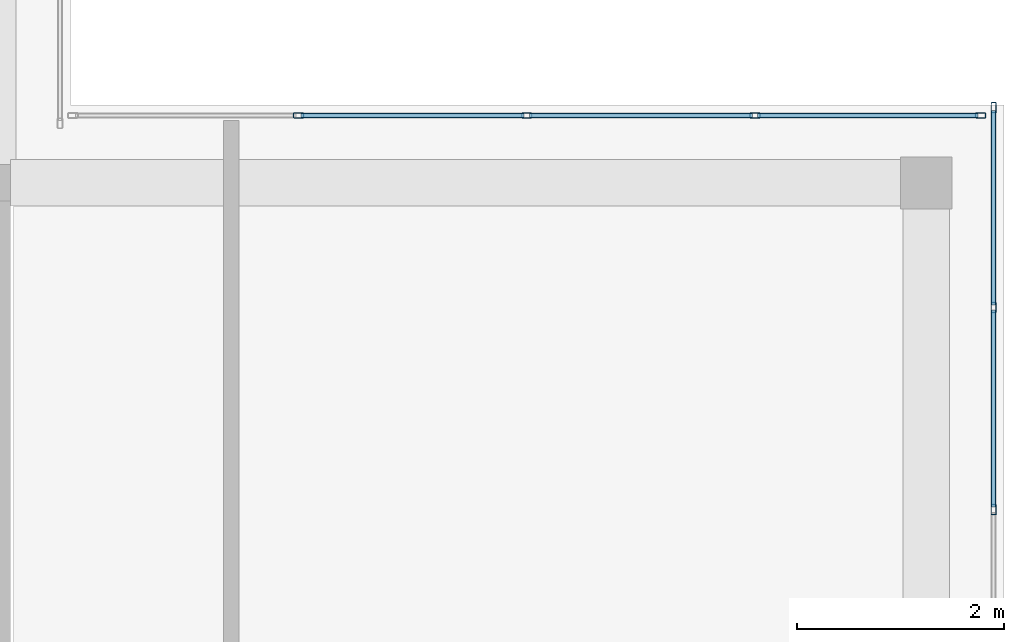
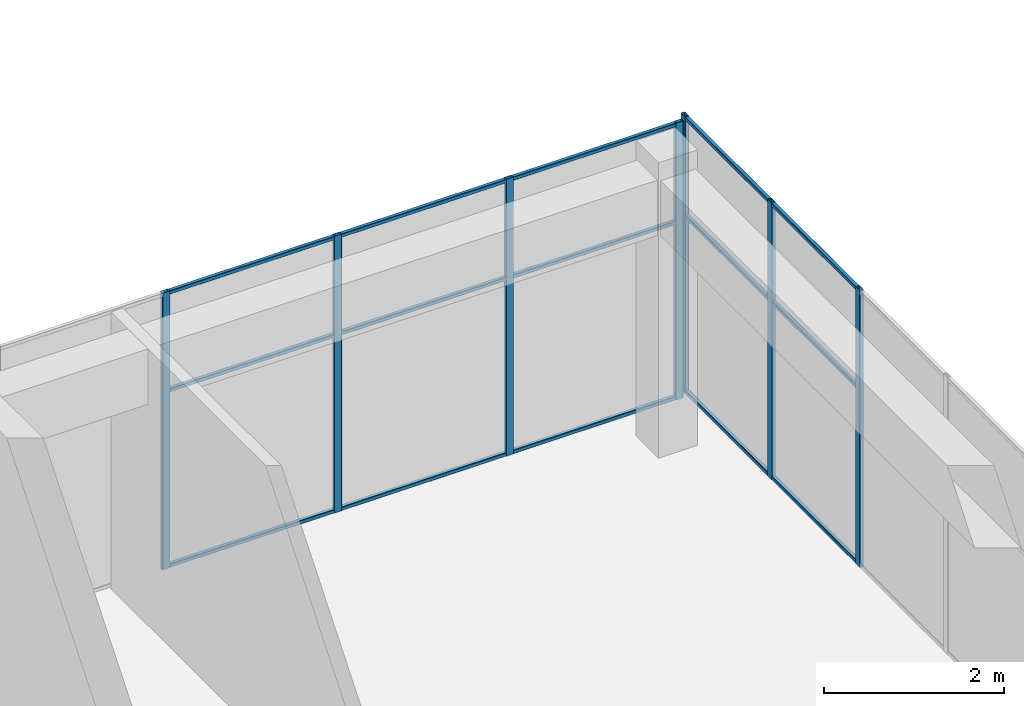
# One storey, part 18 of 34: 22 members, 2 elements without a shape of their own.
"""IFC4 building model written with IfcOpenShell, lengths in metres."""

from ifc_helpers import new_model, si_unit, direction, frame, origin, origin_2d, place, context, subcontext, project, spatial, hollow_rectangle, extrude, material, layer, layer_set, material_profile, profile_set, type_object, element, aggregate, save


model = new_model("IFC4")

# Units and contexts
model_context = context("Model", 3, precision=1e-05, world=origin(), true_north=direction((0.0, 1.0)))
body_context = subcontext(model_context, "Body", "Model", "MODEL_VIEW")
ifc_project = project(units=[si_unit("LENGTHUNIT", "METRE"), si_unit("AREAUNIT", "SQUARE_METRE"), si_unit("VOLUMEUNIT", "CUBIC_METRE"), si_unit("PLANEANGLEUNIT", "RADIAN"), si_unit("MASSUNIT", "GRAM", prefix="KILO")], contexts=[model_context])

# Site, building, storey
site_placement = place(None, origin())
site = spatial("IfcSite", under=ifc_project, at=site_placement, CompositionType="ELEMENT")
building_placement = place(site_placement, origin())
building = spatial("IfcBuilding", under=site, at=building_placement, Name="Tuart Plaza Theatre", CompositionType="ELEMENT")
storey_placement = place(building_placement, frame((0.0, 0.0, 53.5)))
storey = spatial("IfcBuildingStorey", under=building, at=storey_placement, Name="L13", CompositionType="ELEMENT", Elevation=53.5)

# Curtain wall, members
ifc_material_1 = material(Name="Aluminium and glass", Category="aluminium")
ifc_layer = layer(ifc_material_1, 0.10009765625)
ifc_layer_set = layer_set([ifc_layer], Name="CURTAIN WALL 2000 module")
curtain_wall_type = type_object("IfcCurtainWallType", Name="CURTAIN WALL 2000 module", PredefinedType="NOTDEFINED", material=ifc_layer_set)
curtain_wall_1_placement = place(storey_placement, origin())
curtain_wall_1 = element("IfcCurtainWall", 1, at=curtain_wall_1_placement, inside=storey, type_object=curtain_wall_type, Name="CW114", PredefinedType="NOTDEFINED")
ifc_material_2 = material(Name="Aluminium 6063-T5", Category="aluminium")
ifc_material_profile_1 = material_profile(ifc_material_2, hollow_rectangle(XDim=0.050048828125, YDim=0.10009765625, WallThickness=0.00390625, InnerFilletRadius=0.00390625, OuterFilletRadius=0.008056640625, at=origin_2d()), Name="RHS 100x50x4")
ifc_profile_set_1 = profile_set([ifc_material_profile_1], Name="Aluminium 6063-T5")
member_type_1 = type_object("IfcMemberType", Name="MULLION RHS 100x50x4", PredefinedType="MULLION", material=ifc_profile_set_1)
member_1_placement = place(storey_placement, frame((150.64990234375, 79.85009765625, 0.0), z_axis=(0.0, 0.0, 1.0), x_axis=(-1.0, 0.0, 0.0)))
member_1 = element("IfcMember", 2, at=member_1_placement, type_object=member_type_1, Name="CW114 mullion 9", PredefinedType="MULLION", context=body_context, shape_type="SweptSolid", body=[
    extrude(hollow_rectangle(XDim=0.050048828125, YDim=0.10009765625, WallThickness=0.00390625, InnerFilletRadius=0.00390625, OuterFilletRadius=0.008056640625, at=origin_2d()), origin(), (0.0, 0.0, 1.0), 3.75),
])
member_2_placement = place(storey_placement, frame((150.64990234375, 81.800048828125, 0.0), z_axis=(0.0, 0.0, 1.0), x_axis=(-1.0, 0.0, 0.0)))
member_2 = element("IfcMember", 3, at=member_2_placement, type_object=member_type_1, Name="CW114 mullion 10", PredefinedType="MULLION", context=body_context, shape_type="SweptSolid", body=[
    extrude(hollow_rectangle(XDim=0.050048828125, YDim=0.10009765625, WallThickness=0.00390625, InnerFilletRadius=0.00390625, OuterFilletRadius=0.008056640625, at=origin_2d()), origin(), (0.0, 0.0, 1.0), 3.75),
])
member_3_placement = place(storey_placement, frame((150.64990234375, 83.72509765625, 0.0), z_axis=(0.0, 0.0, 1.0), x_axis=(-1.0, 0.0, 0.0)))
member_3 = element("IfcMember", 4, at=member_3_placement, type_object=member_type_1, Name="CW114 mullion 11", PredefinedType="MULLION", context=body_context, shape_type="SweptSolid", body=[
    extrude(hollow_rectangle(XDim=0.050048828125, YDim=0.10009765625, WallThickness=0.00390625, InnerFilletRadius=0.00390625, OuterFilletRadius=0.008056640625, at=origin_2d()), origin(), (0.0, 0.0, 1.0), 3.75),
])

curtain_wall_2_placement = place(storey_placement, origin())
curtain_wall_2 = element("IfcCurtainWall", 5, at=curtain_wall_2_placement, inside=storey, type_object=curtain_wall_type, Name="CW115", PredefinedType="NOTDEFINED")
member_4_placement = place(storey_placement, frame((150.52490234375, 83.64990234375, 0.0), z_axis=(0.0, 0.0, 1.0), x_axis=(0.0, -1.0, 0.0)))
member_4 = element("IfcMember", 6, at=member_4_placement, type_object=member_type_1, Name="CW115 mullion 1", PredefinedType="MULLION", context=body_context, shape_type="SweptSolid", body=[
    extrude(hollow_rectangle(XDim=0.050048828125, YDim=0.10009765625, WallThickness=0.00390625, InnerFilletRadius=0.00390625, OuterFilletRadius=0.008056640625, at=origin_2d()), origin(), (0.0, 0.0, 1.0), 3.75),
])
member_5_placement = place(storey_placement, frame((148.35009765625, 83.64990234375, 0.0), z_axis=(0.0, 0.0, 1.0), x_axis=(0.0, -1.0, 0.0)))
member_5 = element("IfcMember", 7, at=member_5_placement, type_object=member_type_1, Name="CW115 mullion 2", PredefinedType="MULLION", context=body_context, shape_type="SweptSolid", body=[
    extrude(hollow_rectangle(XDim=0.050048828125, YDim=0.10009765625, WallThickness=0.00390625, InnerFilletRadius=0.00390625, OuterFilletRadius=0.008056640625, at=origin_2d()), origin(), (0.0, 0.0, 1.0), 3.75),
])
member_6_placement = place(storey_placement, frame((146.14990234375, 83.64990234375, 0.0), z_axis=(0.0, 0.0, 1.0), x_axis=(0.0, -1.0, 0.0)))
member_6 = element("IfcMember", 8, at=member_6_placement, type_object=member_type_1, Name="CW115 mullion 3", PredefinedType="MULLION", context=body_context, shape_type="SweptSolid", body=[
    extrude(hollow_rectangle(XDim=0.050048828125, YDim=0.10009765625, WallThickness=0.00390625, InnerFilletRadius=0.00390625, OuterFilletRadius=0.008056640625, at=origin_2d()), origin(), (0.0, 0.0, 1.0), 3.75),
])
member_7_placement = place(storey_placement, frame((143.949951171875, 83.64990234375, 0.0), z_axis=(0.0, 0.0, 1.0), x_axis=(0.0, -1.0, 0.0)))
member_7 = element("IfcMember", 9, at=member_7_placement, type_object=member_type_1, Name="CW115 mullion 4", PredefinedType="MULLION", context=body_context, shape_type="SweptSolid", body=[
    extrude(hollow_rectangle(XDim=0.050048828125, YDim=0.10009765625, WallThickness=0.00390625, InnerFilletRadius=0.00390625, OuterFilletRadius=0.008056640625, at=origin_2d()), origin(), (0.0, 0.0, 1.0), 3.75),
])

# Member
ifc_material_3 = material(Name="Aluminium 6063-T5", Category="aluminium")
ifc_material_profile_2 = material_profile(ifc_material_3, hollow_rectangle(XDim=0.050048828125, YDim=0.050048828125, WallThickness=0.00390625, InnerFilletRadius=0.00390625, OuterFilletRadius=0.008056640625, at=origin_2d()), Name="RHS 50x50x4")
ifc_profile_set_2 = profile_set([ifc_material_profile_2], Name="Aluminium 6063-T5")
member_type_2 = type_object("IfcMemberType", Name="TRANSOM RHS 50x50x4", PredefinedType="USERDEFINED", material=ifc_profile_set_2)
member_8_placement = place(storey_placement, frame((150.64990234375, 79.875, 0.02490234375), z_axis=(0.0, 1.0, 0.0), x_axis=(-1.0, 0.0, 0.0)))
member_8 = element("IfcMember", 10, at=member_8_placement, type_object=member_type_2, Name="CW114 transom 9.1", ObjectType="TRANSOM", PredefinedType="USERDEFINED", context=body_context, shape_type="SweptSolid", body=[
    extrude(hollow_rectangle(XDim=0.050048828125, YDim=0.050048828125, WallThickness=0.00390625, InnerFilletRadius=0.00390625, OuterFilletRadius=0.008056640625, at=origin_2d()), origin(), (0.0, 0.0, 1.0), 1.89990234375),
])

member_9_placement = place(storey_placement, frame((150.64990234375, 79.875, 2.39990234375), z_axis=(0.0, 1.0, 0.0), x_axis=(-1.0, 0.0, 0.0)))
member_9 = element("IfcMember", 11, at=member_9_placement, type_object=member_type_2, Name="CW114 transom 9.2", ObjectType="TRANSOM", PredefinedType="USERDEFINED", context=body_context, shape_type="SweptSolid", body=[
    extrude(hollow_rectangle(XDim=0.050048828125, YDim=0.050048828125, WallThickness=0.00390625, InnerFilletRadius=0.00390625, OuterFilletRadius=0.008056640625, at=origin_2d()), origin(), (0.0, 0.0, 1.0), 1.89990234375),
])

member_10_placement = place(storey_placement, frame((150.64990234375, 79.875, 3.72509765625), z_axis=(0.0, 1.0, 0.0), x_axis=(-1.0, 0.0, 0.0)))
member_10 = element("IfcMember", 12, at=member_10_placement, type_object=member_type_2, Name="CW114 transom 9.3", ObjectType="TRANSOM", PredefinedType="USERDEFINED", context=body_context, shape_type="SweptSolid", body=[
    extrude(hollow_rectangle(XDim=0.050048828125, YDim=0.050048828125, WallThickness=0.00390625, InnerFilletRadius=0.00390625, OuterFilletRadius=0.008056640625, at=origin_2d()), origin(), (0.0, 0.0, 1.0), 1.89990234375),
])

member_11_placement = place(storey_placement, frame((150.64990234375, 81.824951171875, 0.02490234375), z_axis=(0.0, 1.0, 0.0), x_axis=(-1.0, 0.0, 0.0)))
member_11 = element("IfcMember", 13, at=member_11_placement, type_object=member_type_2, Name="CW114 transom 10.1", ObjectType="TRANSOM", PredefinedType="USERDEFINED", context=body_context, shape_type="SweptSolid", body=[
    extrude(hollow_rectangle(XDim=0.050048828125, YDim=0.050048828125, WallThickness=0.00390625, InnerFilletRadius=0.00390625, OuterFilletRadius=0.008056640625, at=origin_2d()), origin(), (0.0, 0.0, 1.0), 1.875),
])

member_12_placement = place(storey_placement, frame((150.64990234375, 81.824951171875, 2.39990234375), z_axis=(0.0, 1.0, 0.0), x_axis=(-1.0, 0.0, 0.0)))
member_12 = element("IfcMember", 14, at=member_12_placement, type_object=member_type_2, Name="CW114 transom 10.2", ObjectType="TRANSOM", PredefinedType="USERDEFINED", context=body_context, shape_type="SweptSolid", body=[
    extrude(hollow_rectangle(XDim=0.050048828125, YDim=0.050048828125, WallThickness=0.00390625, InnerFilletRadius=0.00390625, OuterFilletRadius=0.008056640625, at=origin_2d()), origin(), (0.0, 0.0, 1.0), 1.875),
])

member_13_placement = place(storey_placement, frame((150.64990234375, 81.824951171875, 3.72509765625), z_axis=(0.0, 1.0, 0.0), x_axis=(-1.0, 0.0, 0.0)))
member_13 = element("IfcMember", 15, at=member_13_placement, type_object=member_type_2, Name="CW114 transom 10.3", ObjectType="TRANSOM", PredefinedType="USERDEFINED", context=body_context, shape_type="SweptSolid", body=[
    extrude(hollow_rectangle(XDim=0.050048828125, YDim=0.050048828125, WallThickness=0.00390625, InnerFilletRadius=0.00390625, OuterFilletRadius=0.008056640625, at=origin_2d()), origin(), (0.0, 0.0, 1.0), 1.875),
])

aggregate(curtain_wall_1, [member_1, member_2, member_3, member_8, member_9, member_10, member_11, member_12, member_13])

member_14_placement = place(storey_placement, frame((150.5, 83.64990234375, 0.02490234375), z_axis=(-1.0, 0.0, 0.0), x_axis=(0.0, -1.0, 0.0)))
member_14 = element("IfcMember", 16, at=member_14_placement, type_object=member_type_2, Name="CW115 transom 1.1", ObjectType="TRANSOM", PredefinedType="USERDEFINED", context=body_context, shape_type="SweptSolid", body=[
    extrude(hollow_rectangle(XDim=0.050048828125, YDim=0.050048828125, WallThickness=0.00390625, InnerFilletRadius=0.00390625, OuterFilletRadius=0.008056640625, at=origin_2d()), origin(), (0.0, 0.0, 1.0), 2.125),
])

member_15_placement = place(storey_placement, frame((150.5, 83.64990234375, 2.39990234375), z_axis=(-1.0, 0.0, 0.0), x_axis=(0.0, -1.0, 0.0)))
member_15 = element("IfcMember", 17, at=member_15_placement, type_object=member_type_2, Name="CW115 transom 1.2", ObjectType="TRANSOM", PredefinedType="USERDEFINED", context=body_context, shape_type="SweptSolid", body=[
    extrude(hollow_rectangle(XDim=0.050048828125, YDim=0.050048828125, WallThickness=0.00390625, InnerFilletRadius=0.00390625, OuterFilletRadius=0.008056640625, at=origin_2d()), origin(), (0.0, 0.0, 1.0), 2.125),
])

member_16_placement = place(storey_placement, frame((150.5, 83.64990234375, 3.72509765625), z_axis=(-1.0, 0.0, 0.0), x_axis=(0.0, -1.0, 0.0)))
member_16 = element("IfcMember", 18, at=member_16_placement, type_object=member_type_2, Name="CW115 transom 1.3", ObjectType="TRANSOM", PredefinedType="USERDEFINED", context=body_context, shape_type="SweptSolid", body=[
    extrude(hollow_rectangle(XDim=0.050048828125, YDim=0.050048828125, WallThickness=0.00390625, InnerFilletRadius=0.00390625, OuterFilletRadius=0.008056640625, at=origin_2d()), origin(), (0.0, 0.0, 1.0), 2.125),
])

member_17_placement = place(storey_placement, frame((148.324951171875, 83.64990234375, 0.02490234375), z_axis=(-1.0, 0.0, 0.0), x_axis=(0.0, -1.0, 0.0)))
member_17 = element("IfcMember", 19, at=member_17_placement, type_object=member_type_2, Name="CW115 transom 2.1", ObjectType="TRANSOM", PredefinedType="USERDEFINED", context=body_context, shape_type="SweptSolid", body=[
    extrude(hollow_rectangle(XDim=0.050048828125, YDim=0.050048828125, WallThickness=0.00390625, InnerFilletRadius=0.00390625, OuterFilletRadius=0.008056640625, at=origin_2d()), origin(), (0.0, 0.0, 1.0), 2.14990234375),
])

member_18_placement = place(storey_placement, frame((148.324951171875, 83.64990234375, 2.39990234375), z_axis=(-1.0, 0.0, 0.0), x_axis=(0.0, -1.0, 0.0)))
member_18 = element("IfcMember", 20, at=member_18_placement, type_object=member_type_2, Name="CW115 transom 2.2", ObjectType="TRANSOM", PredefinedType="USERDEFINED", context=body_context, shape_type="SweptSolid", body=[
    extrude(hollow_rectangle(XDim=0.050048828125, YDim=0.050048828125, WallThickness=0.00390625, InnerFilletRadius=0.00390625, OuterFilletRadius=0.008056640625, at=origin_2d()), origin(), (0.0, 0.0, 1.0), 2.14990234375),
])

member_19_placement = place(storey_placement, frame((148.324951171875, 83.64990234375, 3.72509765625), z_axis=(-1.0, 0.0, 0.0), x_axis=(0.0, -1.0, 0.0)))
member_19 = element("IfcMember", 21, at=member_19_placement, type_object=member_type_2, Name="CW115 transom 2.3", ObjectType="TRANSOM", PredefinedType="USERDEFINED", context=body_context, shape_type="SweptSolid", body=[
    extrude(hollow_rectangle(XDim=0.050048828125, YDim=0.050048828125, WallThickness=0.00390625, InnerFilletRadius=0.00390625, OuterFilletRadius=0.008056640625, at=origin_2d()), origin(), (0.0, 0.0, 1.0), 2.14990234375),
])

member_20_placement = place(storey_placement, frame((146.125, 83.64990234375, 0.02490234375), z_axis=(-1.0, 0.0, 0.0), x_axis=(0.0, -1.0, 0.0)))
member_20 = element("IfcMember", 22, at=member_20_placement, type_object=member_type_2, Name="CW115 transom 3.1", ObjectType="TRANSOM", PredefinedType="USERDEFINED", context=body_context, shape_type="SweptSolid", body=[
    extrude(hollow_rectangle(XDim=0.050048828125, YDim=0.050048828125, WallThickness=0.00390625, InnerFilletRadius=0.00390625, OuterFilletRadius=0.008056640625, at=origin_2d()), origin(), (0.0, 0.0, 1.0), 2.14990234375),
])

member_21_placement = place(storey_placement, frame((146.125, 83.64990234375, 2.39990234375), z_axis=(-1.0, 0.0, 0.0), x_axis=(0.0, -1.0, 0.0)))
member_21 = element("IfcMember", 23, at=member_21_placement, type_object=member_type_2, Name="CW115 transom 3.2", ObjectType="TRANSOM", PredefinedType="USERDEFINED", context=body_context, shape_type="SweptSolid", body=[
    extrude(hollow_rectangle(XDim=0.050048828125, YDim=0.050048828125, WallThickness=0.00390625, InnerFilletRadius=0.00390625, OuterFilletRadius=0.008056640625, at=origin_2d()), origin(), (0.0, 0.0, 1.0), 2.14990234375),
])

member_22_placement = place(storey_placement, frame((146.125, 83.64990234375, 3.72509765625), z_axis=(-1.0, 0.0, 0.0), x_axis=(0.0, -1.0, 0.0)))
member_22 = element("IfcMember", 24, at=member_22_placement, type_object=member_type_2, Name="CW115 transom 3.3", ObjectType="TRANSOM", PredefinedType="USERDEFINED", context=body_context, shape_type="SweptSolid", body=[
    extrude(hollow_rectangle(XDim=0.050048828125, YDim=0.050048828125, WallThickness=0.00390625, InnerFilletRadius=0.00390625, OuterFilletRadius=0.008056640625, at=origin_2d()), origin(), (0.0, 0.0, 1.0), 2.14990234375),
])

aggregate(curtain_wall_2, [member_4, member_5, member_6, member_7, member_14, member_15, member_16, member_17, member_18, member_19, member_20, member_21, member_22])

save(model, "model.ifc")
